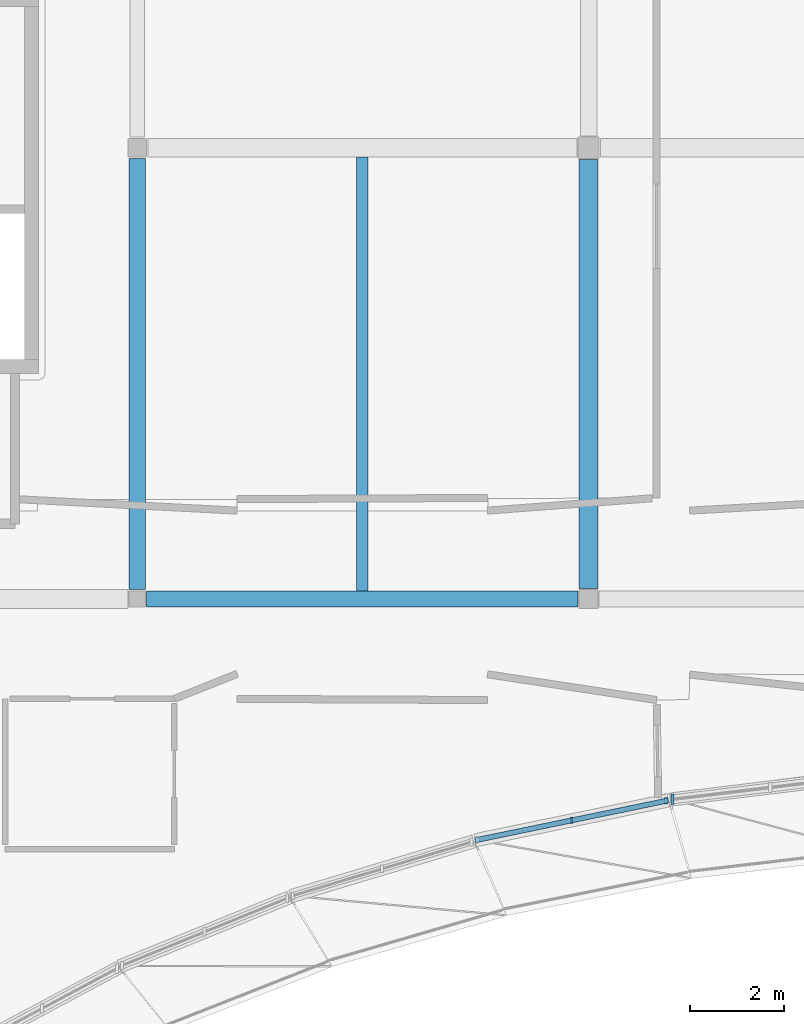
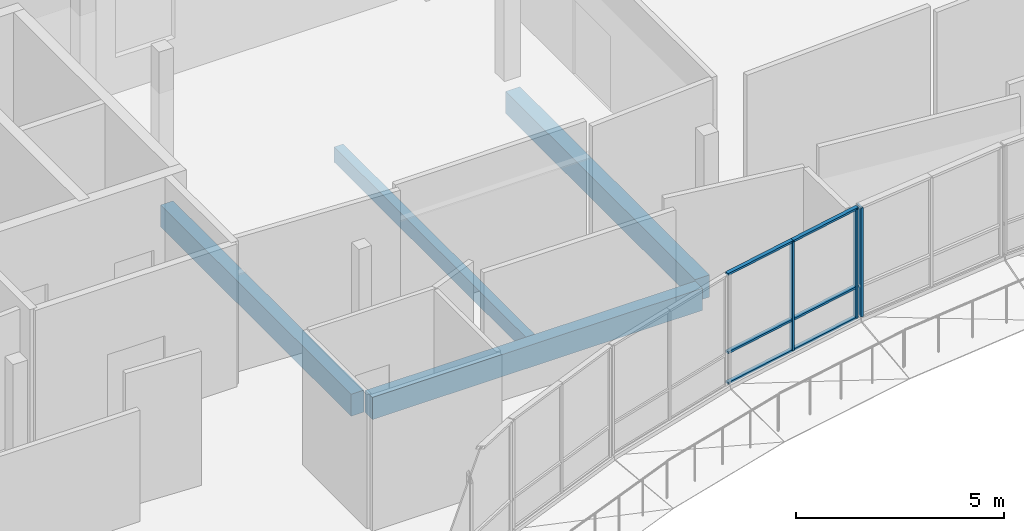
# One storey, part 4 of 18: 9 members, 4 beams, 2 elements without a shape of their own.
"""IFC4 building model written with IfcOpenShell, lengths in metres."""

import ifcopenshell
import ifcopenshell.guid

model = None  # the IFC model being written
_history = None  # IfcOwnerHistory: only IFC2X3 demands one
_inside = {}  # id of a spatial element -> (the spatial element, [elements in it])
_under = {}  # id of a project, library or spatial element -> (it, [spatial elements below it])
_declared = {}  # id of a project -> (the project, [libraries it declares])
_typed = {}  # id of a type object -> (the type object, [elements of that type])
_made_of = {}  # id of a material, layer set ... -> (it, [elements and type objects made of it])


def new_model(schema):
    """Start an empty IFC model of exactly this schema.

    Asked for "IFC4X3", IfcOpenShell would pick the latest addendum, in which some entities
    have other attributes; the version numbers below select the first issue.
    IFC2X3 requires an IfcOwnerHistory on every rooted entity: one is made here for all.
    """
    global model, _history
    if schema == "IFC4X3":
        model = ifcopenshell.file(schema_version=(4, 3, 0, 0))
    else:
        model = ifcopenshell.file(schema=schema)
    _inside.clear()
    _under.clear()
    _declared.clear()
    _typed.clear()
    _made_of.clear()
    _history = None
    if model.schema == "IFC2X3":
        org = make("IfcOrganization", Name="unknown")
        user = make(
            "IfcPersonAndOrganization",
            ThePerson=make("IfcPerson", FamilyName="unknown"),
            TheOrganization=org,
        )
        app = make(
            "IfcApplication",
            ApplicationDeveloper=org,
            Version="unknown",
            ApplicationFullName="unknown",
            ApplicationIdentifier="unknown",
        )
        _history = make(
            "IfcOwnerHistory",
            OwningUser=user,
            OwningApplication=app,
            ChangeAction="ADDED",
            CreationDate=0,
        )
    return model


def make(cls, **values):
    """One entity of the class cls with the attributes given. An attribute that is None is left unset."""
    return model.create_entity(
        cls, **{name: value for name, value in values.items() if value is not None}
    )


def rooted(cls, **values):
    """An entity with a GlobalId (a new one), such as an element, a storey or a relation."""
    return make(cls, GlobalId=ifcopenshell.guid.new(), OwnerHistory=_history, **values)


def si_unit(unit_type, name, prefix=None):
    """IfcSIUnit, for example si_unit("LENGTHUNIT", "METRE", prefix="MILLI")."""
    return make("IfcSIUnit", UnitType=unit_type, Prefix=prefix, Name=name)


def assignment(units):
    """IfcUnitAssignment: the units of a project."""
    return None if units is None else make("IfcUnitAssignment", Units=units)


def point(xyz):
    """IfcCartesianPoint."""
    return None if xyz is None else make("IfcCartesianPoint", Coordinates=xyz)


def direction(xyz):
    """IfcDirection."""
    return None if xyz is None else make("IfcDirection", DirectionRatios=xyz)


def frame(location, z_axis=None, x_axis=None):
    """IfcAxis2Placement3D, a coordinate frame: its origin and axes. An axis left out is left unset."""
    return make(
        "IfcAxis2Placement3D",
        Location=point(location),
        Axis=direction(z_axis),
        RefDirection=direction(x_axis),
    )


def frame_2d(location, x_axis=None):
    """IfcAxis2Placement2D, a coordinate frame in the plane: its origin and x axis."""
    return make(
        "IfcAxis2Placement2D", Location=point(location), RefDirection=direction(x_axis)
    )


def origin():
    """The frame at (0, 0, 0) with its axes left unset."""
    return frame((0.0, 0.0, 0.0))


def origin_2d():
    """The frame at (0, 0) in the plane with its x axis left unset."""
    return frame_2d((0.0, 0.0))


def place(relative_to, where):
    """IfcLocalPlacement: puts the frame where relative to a parent placement (None: the world)."""
    return make(
        "IfcLocalPlacement", PlacementRelTo=relative_to, RelativePlacement=where
    )


def context(
    kind, dimensions, precision=None, world=None, true_north=None, identifier=None
):
    """IfcGeometricRepresentationContext, for example the 3D "Model" context."""
    return make(
        "IfcGeometricRepresentationContext",
        ContextIdentifier=identifier,
        ContextType=kind,
        CoordinateSpaceDimension=dimensions,
        Precision=precision,
        WorldCoordinateSystem=world,
        TrueNorth=true_north,
    )


def subcontext(parent, identifier, kind, view, scale=None):
    """IfcGeometricRepresentationSubContext, for example "Body" below "Model"."""
    return make(
        "IfcGeometricRepresentationSubContext",
        ContextIdentifier=identifier,
        ContextType=kind,
        ParentContext=parent,
        TargetScale=scale,
        TargetView=view,
    )


def project(units=None, contexts=None):
    """IfcProject with its units and contexts."""
    return rooted(
        "IfcProject",
        Name="project",
        RepresentationContexts=contexts,
        UnitsInContext=assignment(units),
    )


def spatial(cls, under=None, at=None, **own):
    """A site, building, storey or space (cls), placed at a placement, below another one or the project."""
    s = rooted(cls, ObjectPlacement=at, **own)
    if under is not None:
        _under.setdefault(under.id(), (under, []))[1].append(s)
    return s


def profile(cls, at=None, kind="AREA", **sizes):
    """A parametric profile (cls). Its sizes go by their IFC names, for example OverallWidth=200.0."""
    return make(cls, ProfileType=kind, Position=at, **sizes)


def rectangle(**sizes):
    """IfcRectangleProfileDef."""
    return profile("IfcRectangleProfileDef", **sizes)


def extrude(swept, where, along, depth):
    """IfcExtrudedAreaSolid: the profile swept, set in the frame where, extruded along a direction by depth."""
    return make(
        "IfcExtrudedAreaSolid",
        SweptArea=swept,
        Position=where,
        ExtrudedDirection=direction(along),
        Depth=depth,
    )


def shape(context_of_items, identifier, shape_type, items):
    """IfcShapeRepresentation: the items that make up one representation, for example the "Body"."""
    return make(
        "IfcShapeRepresentation",
        ContextOfItems=context_of_items,
        RepresentationIdentifier=identifier,
        RepresentationType=shape_type,
        Items=items,
    )


def material(Name=None, Category=None):
    """IfcMaterial."""
    return make("IfcMaterial", Name=Name, Category=Category)


def material_profile(
    of_material, cross_section, Name=None, Category=None, Priority=None
):
    """IfcMaterialProfile: a cross section and its material."""
    return make(
        "IfcMaterialProfile",
        Name=Name,
        Material=of_material,
        Profile=cross_section,
        Priority=Priority,
        Category=Category,
    )


def profile_set(profiles, Name=None, composite=None):
    """IfcMaterialProfileSet."""
    return make(
        "IfcMaterialProfileSet",
        Name=Name,
        MaterialProfiles=profiles,
        CompositeProfile=composite,
    )


def made_of(thing, what):
    """Note that an element or type object is made of a material, layer set ...; save() writes the relation."""
    if what is not None:
        _made_of.setdefault(what.id(), (what, []))[1].append(thing)
    return thing


def type_object(cls, material=None, **own):
    """A type object (cls), such as IfcWallType, which elements share."""
    return made_of(rooted(cls, **own), material)


def element(
    cls,
    number,
    at=None,
    inside=None,
    cuts=None,
    type_object=None,
    material=None,
    context=None,
    identifier="Body",
    shape_type=None,
    held_by="IfcProductDefinitionShape",
    body=None,
    shapes=None,
    **own,
):
    """One element of the class cls, such as IfcWall. Its Tag is "e" and its number.

    at: its placement. inside: the storey or other place that contains it. cuts: it is an
    opening in that element (IfcRelVoidsElement). A single representation is given by context,
    identifier, shape_type and body (its items); several are given by shapes. held_by: the class
    of the entity that holds the representations. save() writes the other relations.
    """
    e = rooted(cls, Tag="e%d" % number, ObjectPlacement=at, **own)
    if body is not None:
        shapes = [shape(context, identifier, shape_type, body)]
    if shapes is not None:
        e.Representation = make(held_by, Representations=shapes)
    if inside is not None:
        _inside.setdefault(inside.id(), (inside, []))[1].append(e)
    if cuts is not None:
        rooted(
            "IfcRelVoidsElement", RelatingBuildingElement=cuts, RelatedOpeningElement=e
        )
    if type_object is not None:
        _typed.setdefault(type_object.id(), (type_object, []))[1].append(e)
    return made_of(e, material)


def aggregate(whole, parts):
    """IfcRelAggregates: a whole, such as a stair, and the parts it consists of."""
    return rooted("IfcRelAggregates", RelatingObject=whole, RelatedObjects=parts)


def save(model, path):
    """Write the relations noted so far, then the file.

    IfcRelAggregates (storeys below a building ...), IfcRelContainedInSpatialStructure (elements
    in a storey), IfcRelDefinesByType, IfcRelAssociatesMaterial and IfcRelDeclares: one each for
    every whole, place, type object, material and project.
    """
    for whole, parts in _under.values():
        aggregate(whole, parts)
    for where, things in _inside.values():
        rooted(
            "IfcRelContainedInSpatialStructure",
            RelatedElements=things,
            RelatingStructure=where,
        )
    for kind, things in _typed.values():
        rooted("IfcRelDefinesByType", RelatedObjects=things, RelatingType=kind)
    for what, things in _made_of.values():
        rooted("IfcRelAssociatesMaterial", RelatedObjects=things, RelatingMaterial=what)
    for by, libraries in _declared.values():
        rooted("IfcRelDeclares", RelatingContext=by, RelatedDefinitions=libraries)
    model.write(path)


model = new_model("IFC4")

# Units and contexts
model_context = context("Model", 3, precision=1e-05, world=origin(), true_north=direction((0.0, 1.0)))
body_context = subcontext(model_context, "Body", "Model", "MODEL_VIEW")
ifc_project = project(units=[si_unit("LENGTHUNIT", "METRE"), si_unit("AREAUNIT", "SQUARE_METRE"), si_unit("VOLUMEUNIT", "CUBIC_METRE"), si_unit("PLANEANGLEUNIT", "RADIAN"), si_unit("MASSUNIT", "GRAM", prefix="KILO")], contexts=[model_context])

# Site, building, storey
site_placement = place(None, origin())
site = spatial("IfcSite", under=ifc_project, at=site_placement, CompositionType="ELEMENT")
building_placement = place(site_placement, origin())
building = spatial("IfcBuilding", under=site, at=building_placement, Name="Mzevani Central Library", CompositionType="ELEMENT")
storey_placement = place(building_placement, frame((0.0, 0.0, 18.300048828125)))
storey = spatial("IfcBuildingStorey", under=building, at=storey_placement, Name="L04", CompositionType="ELEMENT", Elevation=18.300048828125)

# Beams
ifc_material_1 = material(Name="Concrete C35/45", Category="concrete")
ifc_material_profile_1 = material_profile(ifc_material_1, rectangle(XDim=0.35009765625, YDim=0.64990234375, at=origin_2d()), Name="RC B350x650")
ifc_profile_set_1 = profile_set([ifc_material_profile_1], Name="Concrete C35/45")
beam_type_1 = type_object("IfcBeamType", Name="Beam RC 350x650", PredefinedType="BEAM", material=ifc_profile_set_1)
for number, where, z_axis, x_axis, name in (
    (1, (64.199951171875, 100.0, -0.60498046875), (1.0, 0.0, 0.0), (0.0, 1.0, 0.0), "L04 V3 Girder B-05 (708)"),
    (2, (64.0, 100.199951171875, -0.60498046875), (0.0, 1.0, 0.0), (-1.0, 0.0, 0.0), "L04 V3 Frame Beam B-05 (736)"),
):
    element("IfcBeam", number, at=place(storey_placement, frame(where, z_axis=z_axis, x_axis=x_axis)), inside=storey, type_object=beam_type_1, Name=name, PredefinedType="BEAM", context=body_context, shape_type="SweptSolid", body=[
        extrude(rectangle(XDim=0.35009765625, YDim=0.64990234375, at=origin_2d()), origin(), (0.0, 0.0, 1.0), 9.175048828125),
    ])
ifc_material_profile_2 = material_profile(ifc_material_1, rectangle(XDim=0.39990234375, YDim=0.64990234375, at=origin_2d()), Name="RC B400x650")
ifc_profile_set_2 = profile_set([ifc_material_profile_2], Name="Concrete C35/45")
beam_type_2 = type_object("IfcBeamType", Name="Beam RC 400x650", PredefinedType="BEAM", material=ifc_profile_set_2)
beam_1_placement = place(storey_placement, frame((73.60009765625, 100.22509765625, -0.60498046875), z_axis=(0.0, 1.0, 0.0), x_axis=(-1.0, 0.0, 0.0)))
element("IfcBeam", 3, at=beam_1_placement, inside=storey, type_object=beam_type_2, Name="L04 V3 Frame Beam B-07 (738)", PredefinedType="BEAM", context=body_context, shape_type="SweptSolid", body=[
    extrude(rectangle(XDim=0.39990234375, YDim=0.64990234375, at=origin_2d()), origin(), (0.0, 0.0, 1.0), 9.125),
])

# Curtain wall, members
ifc_material_2 = material(Name="Thermally broken aluminium and Low-E triple glazing", Category="aluminium")
curtain_wall_type = type_object("IfcCurtainWallType", Name="Elliptical Court Unitised Curtain Wall", PredefinedType="NOTDEFINED", material=ifc_material_2)
curtain_wall_1_placement = place(storey_placement, origin())
curtain_wall_1 = element("IfcCurtainWall", 4, at=curtain_wall_1_placement, inside=storey, type_object=curtain_wall_type, Name="L04 Elliptical Court Curtain Wall 15", PredefinedType="NOTDEFINED")
ifc_material_3 = material(Name="Thermally broken aluminium AW-6060", Category="aluminium")
ifc_material_profile_3 = material_profile(ifc_material_3, rectangle(XDim=0.06005859375, YDim=0.139892578125, at=origin_2d()), Name="ALU M60x140")
ifc_profile_set_3 = profile_set([ifc_material_profile_3], Name="Thermally broken aluminium AW-6060")
member_type_1 = type_object("IfcMemberType", Name="CW Mullion 60x140", PredefinedType="MULLION", material=ifc_profile_set_3)
member_1_placement = place(storey_placement, frame((75.251220703125, 95.70556640625, 0.719970703125), z_axis=(0.0, 0.0, 1.0), x_axis=(1.0, 0.0, 0.0)))
member_1 = element("IfcMember", 5, at=member_1_placement, type_object=member_type_1, Name="L04 Elliptical Court Curtain Wall 15 Mullion 1", PredefinedType="MULLION", context=body_context, shape_type="SweptSolid", body=[
    extrude(rectangle(XDim=0.06005859375, YDim=0.139892578125, at=origin_2d()), origin(), (0.0, 0.0, 1.0), 3.199951171875),
])
member_2_placement = place(storey_placement, frame((73.243896484375, 95.290771484375, 0.719970703125), z_axis=(0.0, 0.0, 1.0), x_axis=(1.0, 0.0, 0.0)))
member_2 = element("IfcMember", 6, at=member_2_placement, type_object=member_type_1, Name="L04 Elliptical Court Curtain Wall 15 Mullion 2", PredefinedType="MULLION", context=body_context, shape_type="SweptSolid", body=[
    extrude(rectangle(XDim=0.06005859375, YDim=0.139892578125, at=origin_2d()), origin(), (0.0, 0.0, 1.0), 3.199951171875),
])

# Curtain wall, member
curtain_wall_2_placement = place(storey_placement, origin())
curtain_wall_2 = element("IfcCurtainWall", 7, at=curtain_wall_2_placement, inside=storey, type_object=curtain_wall_type, Name="L04 Elliptical Court Curtain Wall 14", PredefinedType="NOTDEFINED")
ifc_material_profile_4 = material_profile(ifc_material_3, rectangle(XDim=0.070068359375, YDim=0.219970703125, at=origin_2d()), Name="ALU M70x220")
ifc_profile_set_4 = profile_set([ifc_material_profile_4], Name="Thermally broken aluminium AW-6060")
member_type_2 = type_object("IfcMemberType", Name="CW Mullion 70x220", PredefinedType="MULLION", material=ifc_profile_set_4)
member_3_placement = place(storey_placement, frame((75.388427734375, 95.73876953125, 0.719970703125), z_axis=(0.0, 0.0, 1.0), x_axis=(1.0, 0.0, 0.0)))
member_3 = element("IfcMember", 8, at=member_3_placement, type_object=member_type_2, Name="L04 Elliptical Court Curtain Wall 14 Mullion 3", PredefinedType="MULLION", context=body_context, shape_type="SweptSolid", body=[
    extrude(rectangle(XDim=0.070068359375, YDim=0.219970703125, at=origin_2d()), origin(), (0.0, 0.0, 1.0), 3.199951171875),
])
aggregate(curtain_wall_2, [member_3])

# Member
ifc_material_profile_5 = material_profile(ifc_material_3, rectangle(XDim=0.110107421875, YDim=0.06005859375, at=origin_2d()), Name="ALU T60x110")
ifc_profile_set_5 = profile_set([ifc_material_profile_5], Name="Thermally broken aluminium AW-6060")
member_type_3 = type_object("IfcMemberType", Name="CW Transom 60x110", PredefinedType="USERDEFINED", material=ifc_profile_set_5)
member_4_placement = place(storey_placement, frame((75.300048828125, 95.7158203125, 0.719970703125), z_axis=(-0.979294612806, -0.202440266076, 0.0), x_axis=(0.202440266076, -0.979294612806, 0.0)))
member_4 = element("IfcMember", 9, at=member_4_placement, type_object=member_type_3, Name="L04 Elliptical Court Curtain Wall 15 Transom 1", ObjectType="TRANSOM", PredefinedType="USERDEFINED", context=body_context, shape_type="SweptSolid", body=[
    extrude(rectangle(XDim=0.110107421875, YDim=0.06005859375, at=origin_2d()), origin(), (0.0, 0.0, 1.0), 2.099609375),
])

member_5_placement = place(storey_placement, frame((75.300048828125, 95.7158203125, 1.619873046875), z_axis=(-0.979294612806, -0.202440266076, 0.0), x_axis=(0.202440266076, -0.979294612806, 0.0)))
member_5 = element("IfcMember", 10, at=member_5_placement, type_object=member_type_3, Name="L04 Elliptical Court Curtain Wall 15 Transom 2", ObjectType="TRANSOM", PredefinedType="USERDEFINED", context=body_context, shape_type="SweptSolid", body=[
    extrude(rectangle(XDim=0.110107421875, YDim=0.06005859375, at=origin_2d()), origin(), (0.0, 0.0, 1.0), 2.099609375),
])

member_6_placement = place(storey_placement, frame((75.300048828125, 95.7158203125, 3.919921875), z_axis=(-0.979294612806, -0.202440266076, 0.0), x_axis=(0.202440266076, -0.979294612806, 0.0)))
member_6 = element("IfcMember", 11, at=member_6_placement, type_object=member_type_3, Name="L04 Elliptical Court Curtain Wall 15 Transom 3", ObjectType="TRANSOM", PredefinedType="USERDEFINED", context=body_context, shape_type="SweptSolid", body=[
    extrude(rectangle(XDim=0.110107421875, YDim=0.06005859375, at=origin_2d()), origin(), (0.0, 0.0, 1.0), 2.099609375),
])

member_7_placement = place(storey_placement, frame((73.243896484375, 95.290771484375, 0.719970703125), z_axis=(-0.979317658988, -0.202328749304, 0.0), x_axis=(0.202328749304, -0.979317658988, 0.0)))
member_7 = element("IfcMember", 12, at=member_7_placement, type_object=member_type_3, Name="L04 Elliptical Court Curtain Wall 15 Transom 4", ObjectType="TRANSOM", PredefinedType="USERDEFINED", context=body_context, shape_type="SweptSolid", body=[
    extrude(rectangle(XDim=0.110107421875, YDim=0.06005859375, at=origin_2d()), origin(), (0.0, 0.0, 1.0), 2.099609375),
])

member_8_placement = place(storey_placement, frame((73.243896484375, 95.290771484375, 1.619873046875), z_axis=(-0.979317658988, -0.202328749304, 0.0), x_axis=(0.202328749304, -0.979317658988, 0.0)))
member_8 = element("IfcMember", 13, at=member_8_placement, type_object=member_type_3, Name="L04 Elliptical Court Curtain Wall 15 Transom 5", ObjectType="TRANSOM", PredefinedType="USERDEFINED", context=body_context, shape_type="SweptSolid", body=[
    extrude(rectangle(XDim=0.110107421875, YDim=0.06005859375, at=origin_2d()), origin(), (0.0, 0.0, 1.0), 2.099609375),
])

member_9_placement = place(storey_placement, frame((73.243896484375, 95.290771484375, 3.919921875), z_axis=(-0.979317658988, -0.202328749304, 0.0), x_axis=(0.202328749304, -0.979317658988, 0.0)))
member_9 = element("IfcMember", 14, at=member_9_placement, type_object=member_type_3, Name="L04 Elliptical Court Curtain Wall 15 Transom 6", ObjectType="TRANSOM", PredefinedType="USERDEFINED", context=body_context, shape_type="SweptSolid", body=[
    extrude(rectangle(XDim=0.110107421875, YDim=0.06005859375, at=origin_2d()), origin(), (0.0, 0.0, 1.0), 2.099609375),
])

aggregate(curtain_wall_1, [member_1, member_2, member_4, member_5, member_6, member_7, member_8, member_9])

# Beam
ifc_material_profile_6 = material_profile(ifc_material_1, rectangle(XDim=0.25, YDim=0.449951171875, at=origin_2d()), Name="RC J250x450")
ifc_profile_set_6 = profile_set([ifc_material_profile_6], Name="Concrete C35/45")
beam_type_3 = type_object("IfcBeamType", Name="Floor Joist RC 250x450", PredefinedType="JOIST", material=ifc_profile_set_6)
beam_2_placement = place(storey_placement, frame((68.78759765625, 100.175048828125, -0.505126953125), z_axis=(0.0, 1.0, 0.0), x_axis=(-1.0, 0.0, 0.0)))
element("IfcBeam", 15, at=beam_2_placement, inside=storey, type_object=beam_type_3, Name="L04 V3 Floor Joist BJ-01 (759)", PredefinedType="JOIST", context=body_context, shape_type="SweptSolid", body=[
    extrude(rectangle(XDim=0.25, YDim=0.449951171875, at=origin_2d()), origin(), (0.0, 0.0, 1.0), 9.224853515625),
])

save(model, "model.ifc")
